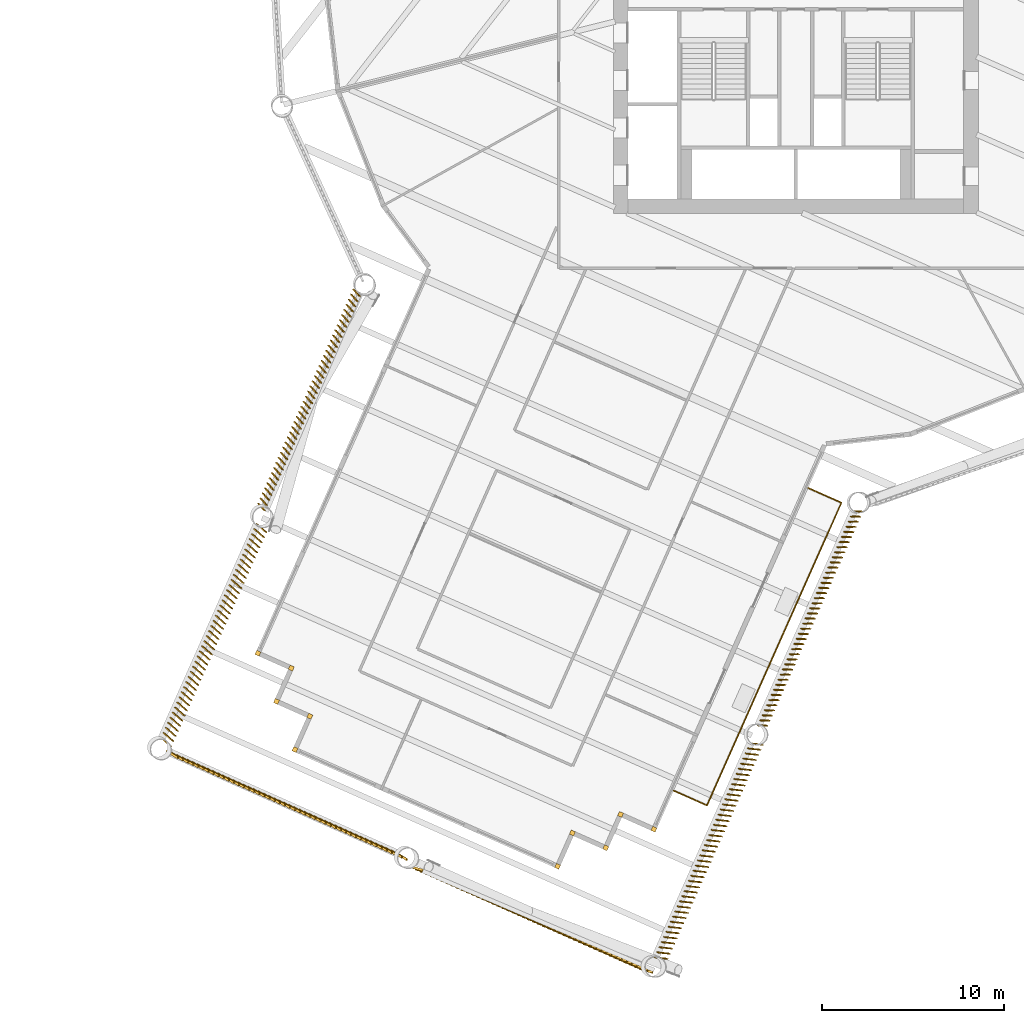
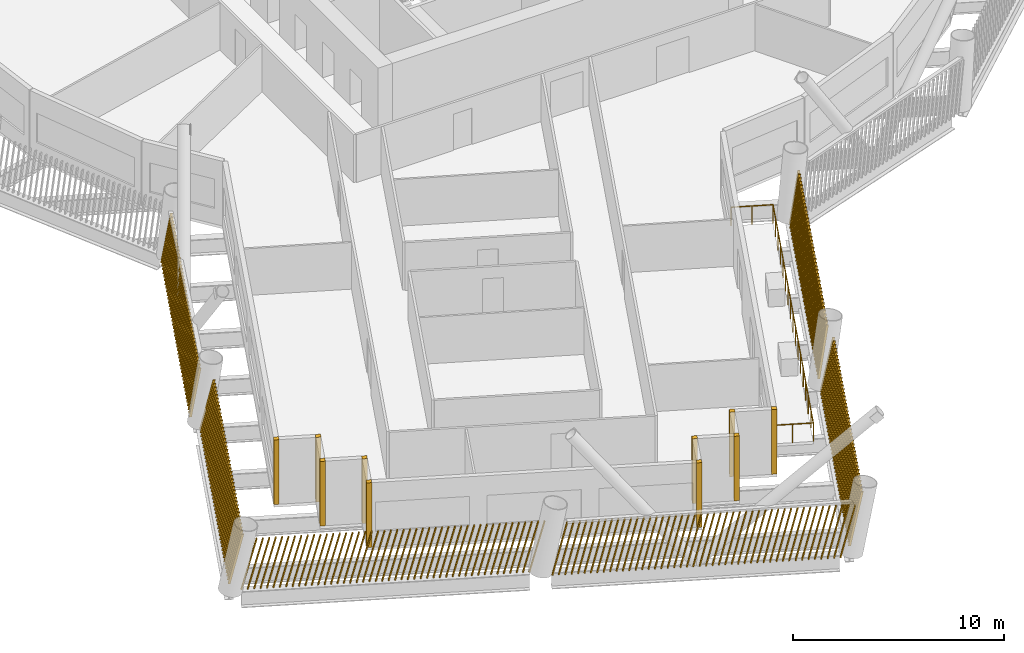
# One storey, part 17 of 22: 16 shading devices, 1 railing.
"""IFC4 building model written with IfcOpenShell, lengths in metres."""

import ifcopenshell
import ifcopenshell.guid

model = None  # the IFC model being written
_history = None  # IfcOwnerHistory: only IFC2X3 demands one
_inside = {}  # id of a spatial element -> (the spatial element, [elements in it])
_under = {}  # id of a project, library or spatial element -> (it, [spatial elements below it])
_declared = {}  # id of a project -> (the project, [libraries it declares])
_typed = {}  # id of a type object -> (the type object, [elements of that type])
_made_of = {}  # id of a material, layer set ... -> (it, [elements and type objects made of it])


def new_model(schema):
    """Start an empty IFC model of exactly this schema.

    Asked for "IFC4X3", IfcOpenShell would pick the latest addendum, in which some entities
    have other attributes; the version numbers below select the first issue.
    IFC2X3 requires an IfcOwnerHistory on every rooted entity: one is made here for all.
    """
    global model, _history
    if schema == "IFC4X3":
        model = ifcopenshell.file(schema_version=(4, 3, 0, 0))
    else:
        model = ifcopenshell.file(schema=schema)
    _inside.clear()
    _under.clear()
    _declared.clear()
    _typed.clear()
    _made_of.clear()
    _history = None
    if model.schema == "IFC2X3":
        org = make("IfcOrganization", Name="unknown")
        user = make(
            "IfcPersonAndOrganization",
            ThePerson=make("IfcPerson", FamilyName="unknown"),
            TheOrganization=org,
        )
        app = make(
            "IfcApplication",
            ApplicationDeveloper=org,
            Version="unknown",
            ApplicationFullName="unknown",
            ApplicationIdentifier="unknown",
        )
        _history = make(
            "IfcOwnerHistory",
            OwningUser=user,
            OwningApplication=app,
            ChangeAction="ADDED",
            CreationDate=0,
        )
    return model


def make(cls, **values):
    """One entity of the class cls with the attributes given. An attribute that is None is left unset."""
    return model.create_entity(
        cls, **{name: value for name, value in values.items() if value is not None}
    )


def rooted(cls, **values):
    """An entity with a GlobalId (a new one), such as an element, a storey or a relation."""
    return make(cls, GlobalId=ifcopenshell.guid.new(), OwnerHistory=_history, **values)


def si_unit(unit_type, name, prefix=None):
    """IfcSIUnit, for example si_unit("LENGTHUNIT", "METRE", prefix="MILLI")."""
    return make("IfcSIUnit", UnitType=unit_type, Prefix=prefix, Name=name)


def assignment(units):
    """IfcUnitAssignment: the units of a project."""
    return None if units is None else make("IfcUnitAssignment", Units=units)


def point(xyz):
    """IfcCartesianPoint."""
    return None if xyz is None else make("IfcCartesianPoint", Coordinates=xyz)


def direction(xyz):
    """IfcDirection."""
    return None if xyz is None else make("IfcDirection", DirectionRatios=xyz)


def frame(location, z_axis=None, x_axis=None):
    """IfcAxis2Placement3D, a coordinate frame: its origin and axes. An axis left out is left unset."""
    return make(
        "IfcAxis2Placement3D",
        Location=point(location),
        Axis=direction(z_axis),
        RefDirection=direction(x_axis),
    )


def frame_2d(location, x_axis=None):
    """IfcAxis2Placement2D, a coordinate frame in the plane: its origin and x axis."""
    return make(
        "IfcAxis2Placement2D", Location=point(location), RefDirection=direction(x_axis)
    )


def origin():
    """The frame at (0, 0, 0) with its axes left unset."""
    return frame((0.0, 0.0, 0.0))


def origin_2d():
    """The frame at (0, 0) in the plane with its x axis left unset."""
    return frame_2d((0.0, 0.0))


def place(relative_to, where):
    """IfcLocalPlacement: puts the frame where relative to a parent placement (None: the world)."""
    return make(
        "IfcLocalPlacement", PlacementRelTo=relative_to, RelativePlacement=where
    )


def context(
    kind, dimensions, precision=None, world=None, true_north=None, identifier=None
):
    """IfcGeometricRepresentationContext, for example the 3D "Model" context."""
    return make(
        "IfcGeometricRepresentationContext",
        ContextIdentifier=identifier,
        ContextType=kind,
        CoordinateSpaceDimension=dimensions,
        Precision=precision,
        WorldCoordinateSystem=world,
        TrueNorth=true_north,
    )


def subcontext(parent, identifier, kind, view, scale=None):
    """IfcGeometricRepresentationSubContext, for example "Body" below "Model"."""
    return make(
        "IfcGeometricRepresentationSubContext",
        ContextIdentifier=identifier,
        ContextType=kind,
        ParentContext=parent,
        TargetScale=scale,
        TargetView=view,
    )


def project(units=None, contexts=None):
    """IfcProject with its units and contexts."""
    return rooted(
        "IfcProject",
        Name="project",
        RepresentationContexts=contexts,
        UnitsInContext=assignment(units),
    )


def spatial(cls, under=None, at=None, **own):
    """A site, building, storey or space (cls), placed at a placement, below another one or the project."""
    s = rooted(cls, ObjectPlacement=at, **own)
    if under is not None:
        _under.setdefault(under.id(), (under, []))[1].append(s)
    return s


def profile(cls, at=None, kind="AREA", **sizes):
    """A parametric profile (cls). Its sizes go by their IFC names, for example OverallWidth=200.0."""
    return make(cls, ProfileType=kind, Position=at, **sizes)


def rectangle(**sizes):
    """IfcRectangleProfileDef."""
    return profile("IfcRectangleProfileDef", **sizes)


def circle(**sizes):
    """IfcCircleProfileDef."""
    return profile("IfcCircleProfileDef", **sizes)


def composite_profile(profiles, kind="AREA"):
    """IfcCompositeProfileDef: several profiles as one."""
    return make("IfcCompositeProfileDef", ProfileType=kind, Profiles=profiles)


def extrude(swept, where, along, depth):
    """IfcExtrudedAreaSolid: the profile swept, set in the frame where, extruded along a direction by depth."""
    return make(
        "IfcExtrudedAreaSolid",
        SweptArea=swept,
        Position=where,
        ExtrudedDirection=direction(along),
        Depth=depth,
    )


def shape(context_of_items, identifier, shape_type, items):
    """IfcShapeRepresentation: the items that make up one representation, for example the "Body"."""
    return make(
        "IfcShapeRepresentation",
        ContextOfItems=context_of_items,
        RepresentationIdentifier=identifier,
        RepresentationType=shape_type,
        Items=items,
    )


def material(Name=None, Category=None):
    """IfcMaterial."""
    return make("IfcMaterial", Name=Name, Category=Category)


def made_of(thing, what):
    """Note that an element or type object is made of a material, layer set ...; save() writes the relation."""
    if what is not None:
        _made_of.setdefault(what.id(), (what, []))[1].append(thing)
    return thing


def type_object(cls, material=None, **own):
    """A type object (cls), such as IfcWallType, which elements share."""
    return made_of(rooted(cls, **own), material)


def element(
    cls,
    number,
    at=None,
    inside=None,
    cuts=None,
    type_object=None,
    material=None,
    context=None,
    identifier="Body",
    shape_type=None,
    held_by="IfcProductDefinitionShape",
    body=None,
    shapes=None,
    **own,
):
    """One element of the class cls, such as IfcWall. Its Tag is "e" and its number.

    at: its placement. inside: the storey or other place that contains it. cuts: it is an
    opening in that element (IfcRelVoidsElement). A single representation is given by context,
    identifier, shape_type and body (its items); several are given by shapes. held_by: the class
    of the entity that holds the representations. save() writes the other relations.
    """
    e = rooted(cls, Tag="e%d" % number, ObjectPlacement=at, **own)
    if body is not None:
        shapes = [shape(context, identifier, shape_type, body)]
    if shapes is not None:
        e.Representation = make(held_by, Representations=shapes)
    if inside is not None:
        _inside.setdefault(inside.id(), (inside, []))[1].append(e)
    if cuts is not None:
        rooted(
            "IfcRelVoidsElement", RelatingBuildingElement=cuts, RelatedOpeningElement=e
        )
    if type_object is not None:
        _typed.setdefault(type_object.id(), (type_object, []))[1].append(e)
    return made_of(e, material)


def aggregate(whole, parts):
    """IfcRelAggregates: a whole, such as a stair, and the parts it consists of."""
    return rooted("IfcRelAggregates", RelatingObject=whole, RelatedObjects=parts)


def save(model, path):
    """Write the relations noted so far, then the file.

    IfcRelAggregates (storeys below a building ...), IfcRelContainedInSpatialStructure (elements
    in a storey), IfcRelDefinesByType, IfcRelAssociatesMaterial and IfcRelDeclares: one each for
    every whole, place, type object, material and project.
    """
    for whole, parts in _under.values():
        aggregate(whole, parts)
    for where, things in _inside.values():
        rooted(
            "IfcRelContainedInSpatialStructure",
            RelatedElements=things,
            RelatingStructure=where,
        )
    for kind, things in _typed.values():
        rooted("IfcRelDefinesByType", RelatedObjects=things, RelatingType=kind)
    for what, things in _made_of.values():
        rooted("IfcRelAssociatesMaterial", RelatedObjects=things, RelatingMaterial=what)
    for by, libraries in _declared.values():
        rooted("IfcRelDeclares", RelatingContext=by, RelatedDefinitions=libraries)
    model.write(path)


model = new_model("IFC4")

# Units and contexts
model_context = context("Model", 3, precision=1e-05, world=origin(), true_north=direction((0.0, 1.0)))
body_context = subcontext(model_context, "Body", "Model", "MODEL_VIEW")
ifc_project = project(units=[si_unit("LENGTHUNIT", "METRE"), si_unit("AREAUNIT", "SQUARE_METRE"), si_unit("VOLUMEUNIT", "CUBIC_METRE"), si_unit("PLANEANGLEUNIT", "RADIAN"), si_unit("MASSUNIT", "GRAM", prefix="KILO")], contexts=[model_context])

# Site, building, storey
site_placement = place(None, origin())
site = spatial("IfcSite", under=ifc_project, at=site_placement, CompositionType="ELEMENT")
building_placement = place(site_placement, origin())
building = spatial("IfcBuilding", under=site, at=building_placement, Name="Tarsis Ring Headquarters", CompositionType="ELEMENT")
storey_placement = place(building_placement, frame((0.0, 0.0, 116.199951171875)))
storey = spatial("IfcBuildingStorey", under=building, at=storey_placement, Name="L26", CompositionType="ELEMENT", Elevation=116.199951171875)

# Railing
ifc_material_1 = material(Name="Stainless steel guard", Category="steel")
railing_type = type_object("IfcRailingType", Name="Balcony balustrade with mesh infill 1100", PredefinedType="BALUSTRADE", material=ifc_material_1)
railing_placement = place(storey_placement, frame((-6.699462890625, -44.624755859375, 0.0)))
element("IfcRailing", 1, at=railing_placement, inside=storey, type_object=railing_type, Name="Balcony balustrade L26-16", PredefinedType="BALUSTRADE", context=body_context, shape_type="SweptSolid", body=[
    extrude(circle(Radius=0.030029296875, at=origin_2d()), frame((0.0, 0.0, 1.070068359375), z_axis=(0.913836713146, -0.406081841143, 0.0), x_axis=(0.406081841143, 0.913836713146, 0.0)), (0.0, 0.0, 1.0), 2.000244140625),
    extrude(circle(Radius=0.030029296875, at=origin_2d()), frame((1.827880859375, -0.812255859375, 1.070068359375), z_axis=(0.406093538557, 0.913831515074, 0.0), x_axis=(-0.913831515074, 0.406093538557, 0.0)), (0.0, 0.0, 1.0), 18.151123046875),
    extrude(circle(Radius=0.030029296875, at=origin_2d()), frame((9.198974609375, 15.77490234375, 1.070068359375), z_axis=(-0.913816582368, 0.406127139933, 0.0), x_axis=(-0.406127139933, -0.913816582368, 0.0)), (0.0, 0.0, 1.0), 2.0),
    extrude(circle(Radius=0.02490234375, at=origin_2d()), origin(), (0.0, 0.0, 1.0), 1.0400390625),
    extrude(circle(Radius=0.02490234375, at=origin_2d()), frame((0.9140625, -0.40625, 0.0)), (0.0, 0.0, 1.0), 1.0400390625),
    extrude(circle(Radius=0.02490234375, at=origin_2d()), frame((1.827880859375, -0.812255859375, 0.0)), (0.0, 0.0, 1.0), 1.0400390625),
    extrude(circle(Radius=0.02490234375, at=origin_2d()), frame((2.28857421875, 0.224365234375, 0.0)), (0.0, 0.0, 1.0), 1.0400390625),
    extrude(circle(Radius=0.02490234375, at=origin_2d()), frame((2.749267578125, 1.26123046875, 0.0)), (0.0, 0.0, 1.0), 1.0400390625),
    extrude(circle(Radius=0.02490234375, at=origin_2d()), frame((3.2099609375, 2.2978515625, 0.0)), (0.0, 0.0, 1.0), 1.0400390625),
    extrude(circle(Radius=0.02490234375, at=origin_2d()), frame((3.670654296875, 3.33447265625, 0.0)), (0.0, 0.0, 1.0), 1.0400390625),
    extrude(circle(Radius=0.02490234375, at=origin_2d()), frame((4.13134765625, 4.371337890625, 0.0)), (0.0, 0.0, 1.0), 1.0400390625),
    extrude(circle(Radius=0.02490234375, at=origin_2d()), frame((4.592041015625, 5.407958984375, 0.0)), (0.0, 0.0, 1.0), 1.0400390625),
    extrude(circle(Radius=0.02490234375, at=origin_2d()), frame((5.052734375, 6.444580078125, 0.0)), (0.0, 0.0, 1.0), 1.0400390625),
    extrude(circle(Radius=0.02490234375, at=origin_2d()), frame((5.513427734375, 7.4814453125, 0.0)), (0.0, 0.0, 1.0), 1.0400390625),
    extrude(circle(Radius=0.02490234375, at=origin_2d()), frame((5.97412109375, 8.51806640625, 0.0)), (0.0, 0.0, 1.0), 1.0400390625),
    extrude(circle(Radius=0.02490234375, at=origin_2d()), frame((6.434814453125, 9.5546875, 0.0)), (0.0, 0.0, 1.0), 1.0400390625),
    extrude(circle(Radius=0.02490234375, at=origin_2d()), frame((6.8955078125, 10.59130859375, 0.0)), (0.0, 0.0, 1.0), 1.0400390625),
    extrude(circle(Radius=0.02490234375, at=origin_2d()), frame((7.356201171875, 11.628173828125, 0.0)), (0.0, 0.0, 1.0), 1.0400390625),
    extrude(circle(Radius=0.02490234375, at=origin_2d()), frame((7.81689453125, 12.664794921875, 0.0)), (0.0, 0.0, 1.0), 1.0400390625),
    extrude(circle(Radius=0.02490234375, at=origin_2d()), frame((8.277587890625, 13.701416015625, 0.0)), (0.0, 0.0, 1.0), 1.0400390625),
    extrude(circle(Radius=0.02490234375, at=origin_2d()), frame((8.73828125, 14.73828125, 0.0)), (0.0, 0.0, 1.0), 1.0400390625),
    extrude(circle(Radius=0.02490234375, at=origin_2d()), frame((9.198974609375, 15.77490234375, 0.0)), (0.0, 0.0, 1.0), 1.0400390625),
    extrude(circle(Radius=0.02490234375, at=origin_2d()), frame((8.28515625, 16.18115234375, 0.0)), (0.0, 0.0, 1.0), 1.0400390625),
    extrude(circle(Radius=0.02490234375, at=origin_2d()), frame((7.371337890625, 16.587158203125, 0.0)), (0.0, 0.0, 1.0), 1.0400390625),
])

# Shading devices
ifc_material_2 = material(Name="Terracotta baguette", Category="masonry")
shading_device_type_1 = type_object("IfcShadingDeviceType", Name="Terracotta baguette screen", PredefinedType="USERDEFINED", material=ifc_material_2)
shading_device_1_placement = place(storey_placement, frame((-24.220947265625, -17.135986328125, 0.0), z_axis=(0.0, 0.0, 1.0), x_axis=(-0.40610808356, -0.913828337875, 0.0)))
element("IfcShadingDevice", 2, at=shading_device_1_placement, inside=storey, type_object=shading_device_type_1, Name="Baguette screen L26-01", ObjectType="Terracotta baguette screen", PredefinedType="USERDEFINED", context=body_context, shape_type="SweptSolid", body=[
    extrude(composite_profile([rectangle(XDim=0.06005859375, YDim=0.1201171875, at=frame_2d((0.030029296875, 0.0))), rectangle(XDim=0.06005859375, YDim=0.1201171875, at=frame_2d((0.335693359375, 0.0))), rectangle(XDim=0.06005859375, YDim=0.1201171875, at=frame_2d((0.6416015625, 0.0))), rectangle(XDim=0.06005859375, YDim=0.1201171875, at=frame_2d((0.947265625, 0.0))), rectangle(XDim=0.06005859375, YDim=0.1201171875, at=frame_2d((1.253173828125, 0.0))), rectangle(XDim=0.06005859375, YDim=0.1201171875, at=frame_2d((1.558837890625, 0.0))), rectangle(XDim=0.06005859375, YDim=0.1201171875, at=frame_2d((1.864501953125, 0.0))), rectangle(XDim=0.06005859375, YDim=0.1201171875, at=frame_2d((2.17041015625, 0.0))), rectangle(XDim=0.06005859375, YDim=0.1201171875, at=frame_2d((2.47607421875, 0.0))), rectangle(XDim=0.06005859375, YDim=0.1201171875, at=frame_2d((2.781982421875, 0.0))), rectangle(XDim=0.06005859375, YDim=0.1201171875, at=frame_2d((3.087646484375, 0.0))), rectangle(XDim=0.06005859375, YDim=0.1201171875, at=frame_2d((3.393310546875, 0.0))), rectangle(XDim=0.06005859375, YDim=0.1201171875, at=frame_2d((3.69921875, 0.0))), rectangle(XDim=0.06005859375, YDim=0.1201171875, at=frame_2d((4.0048828125, 0.0))), rectangle(XDim=0.06005859375, YDim=0.1201171875, at=frame_2d((4.310791015625, 0.0))), rectangle(XDim=0.06005859375, YDim=0.1201171875, at=frame_2d((4.616455078125, 0.0))), rectangle(XDim=0.06005859375, YDim=0.1201171875, at=frame_2d((4.922119140625, 0.0))), rectangle(XDim=0.06005859375, YDim=0.1201171875, at=frame_2d((5.22802734375, 0.0))), rectangle(XDim=0.06005859375, YDim=0.1201171875, at=frame_2d((5.53369140625, 0.0))), rectangle(XDim=0.06005859375, YDim=0.1201171875, at=frame_2d((5.839599609375, 0.0))), rectangle(XDim=0.06005859375, YDim=0.1201171875, at=frame_2d((6.145263671875, 0.0))), rectangle(XDim=0.06005859375, YDim=0.1201171875, at=frame_2d((6.451171875, 0.0))), rectangle(XDim=0.06005859375, YDim=0.1201171875, at=frame_2d((6.7568359375, 0.0))), rectangle(XDim=0.06005859375, YDim=0.1201171875, at=frame_2d((7.0625, 0.0))), rectangle(XDim=0.06005859375, YDim=0.1201171875, at=frame_2d((7.368408203125, 0.0))), rectangle(XDim=0.06005859375, YDim=0.1201171875, at=frame_2d((7.674072265625, 0.0))), rectangle(XDim=0.06005859375, YDim=0.1201171875, at=frame_2d((7.97998046875, 0.0))), rectangle(XDim=0.06005859375, YDim=0.1201171875, at=frame_2d((8.28564453125, 0.0))), rectangle(XDim=0.06005859375, YDim=0.1201171875, at=frame_2d((8.59130859375, 0.0))), rectangle(XDim=0.06005859375, YDim=0.1201171875, at=frame_2d((8.897216796875, 0.0))), rectangle(XDim=0.06005859375, YDim=0.1201171875, at=frame_2d((9.202880859375, 0.0))), rectangle(XDim=0.06005859375, YDim=0.1201171875, at=frame_2d((9.5087890625, 0.0))), rectangle(XDim=0.06005859375, YDim=0.1201171875, at=frame_2d((9.814453125, 0.0))), rectangle(XDim=0.06005859375, YDim=0.1201171875, at=frame_2d((10.1201171875, 0.0))), rectangle(XDim=0.06005859375, YDim=0.1201171875, at=frame_2d((10.426025390625, 0.0))), rectangle(XDim=0.06005859375, YDim=0.1201171875, at=frame_2d((10.731689453125, 0.0))), rectangle(XDim=0.06005859375, YDim=0.1201171875, at=frame_2d((11.03759765625, 0.0))), rectangle(XDim=0.06005859375, YDim=0.1201171875, at=frame_2d((11.34326171875, 0.0))), rectangle(XDim=0.06005859375, YDim=0.1201171875, at=frame_2d((11.64892578125, 0.0))), rectangle(XDim=0.06005859375, YDim=0.1201171875, at=frame_2d((11.954833984375, 0.0))), rectangle(XDim=0.06005859375, YDim=0.1201171875, at=frame_2d((12.260498046875, 0.0))), rectangle(XDim=0.06005859375, YDim=0.1201171875, at=frame_2d((12.56640625, 0.0))), rectangle(XDim=0.06005859375, YDim=0.1201171875, at=frame_2d((12.8720703125, 0.0)))]), origin(), (0.068061752607, 0.145840937484, 0.986964041283), 2.99169921875),
])
shading_device_2_placement = place(storey_placement, frame((-29.524169921875, -29.99267578125, 0.0), z_axis=(0.0, 0.0, 1.0), x_axis=(-0.406096845611, -0.913826707287, 0.0)))
element("IfcShadingDevice", 3, at=shading_device_2_placement, inside=storey, type_object=shading_device_type_1, Name="Baguette screen L26-02", ObjectType="Terracotta baguette screen", PredefinedType="USERDEFINED", context=body_context, shape_type="SweptSolid", body=[
    extrude(composite_profile([rectangle(XDim=0.06005859375, YDim=0.1201171875, at=frame_2d((0.030029296875, 0.0))), rectangle(XDim=0.06005859375, YDim=0.1201171875, at=frame_2d((0.335693359375, 0.0))), rectangle(XDim=0.06005859375, YDim=0.1201171875, at=frame_2d((0.6416015625, 0.0))), rectangle(XDim=0.06005859375, YDim=0.1201171875, at=frame_2d((0.947265625, 0.0))), rectangle(XDim=0.06005859375, YDim=0.1201171875, at=frame_2d((1.253173828125, 0.0))), rectangle(XDim=0.06005859375, YDim=0.1201171875, at=frame_2d((1.558837890625, 0.0))), rectangle(XDim=0.06005859375, YDim=0.1201171875, at=frame_2d((1.864501953125, 0.0))), rectangle(XDim=0.06005859375, YDim=0.1201171875, at=frame_2d((2.17041015625, 0.0))), rectangle(XDim=0.06005859375, YDim=0.1201171875, at=frame_2d((2.47607421875, 0.0))), rectangle(XDim=0.06005859375, YDim=0.1201171875, at=frame_2d((2.781982421875, 0.0))), rectangle(XDim=0.06005859375, YDim=0.1201171875, at=frame_2d((3.087646484375, 0.0))), rectangle(XDim=0.06005859375, YDim=0.1201171875, at=frame_2d((3.393310546875, 0.0))), rectangle(XDim=0.06005859375, YDim=0.1201171875, at=frame_2d((3.69921875, 0.0))), rectangle(XDim=0.06005859375, YDim=0.1201171875, at=frame_2d((4.0048828125, 0.0))), rectangle(XDim=0.06005859375, YDim=0.1201171875, at=frame_2d((4.310791015625, 0.0))), rectangle(XDim=0.06005859375, YDim=0.1201171875, at=frame_2d((4.616455078125, 0.0))), rectangle(XDim=0.06005859375, YDim=0.1201171875, at=frame_2d((4.922119140625, 0.0))), rectangle(XDim=0.06005859375, YDim=0.1201171875, at=frame_2d((5.22802734375, 0.0))), rectangle(XDim=0.06005859375, YDim=0.1201171875, at=frame_2d((5.53369140625, 0.0))), rectangle(XDim=0.06005859375, YDim=0.1201171875, at=frame_2d((5.839599609375, 0.0))), rectangle(XDim=0.06005859375, YDim=0.1201171875, at=frame_2d((6.145263671875, 0.0))), rectangle(XDim=0.06005859375, YDim=0.1201171875, at=frame_2d((6.451171875, 0.0))), rectangle(XDim=0.06005859375, YDim=0.1201171875, at=frame_2d((6.7568359375, 0.0))), rectangle(XDim=0.06005859375, YDim=0.1201171875, at=frame_2d((7.0625, 0.0))), rectangle(XDim=0.06005859375, YDim=0.1201171875, at=frame_2d((7.368408203125, 0.0))), rectangle(XDim=0.06005859375, YDim=0.1201171875, at=frame_2d((7.674072265625, 0.0))), rectangle(XDim=0.06005859375, YDim=0.1201171875, at=frame_2d((7.97998046875, 0.0))), rectangle(XDim=0.06005859375, YDim=0.1201171875, at=frame_2d((8.28564453125, 0.0))), rectangle(XDim=0.06005859375, YDim=0.1201171875, at=frame_2d((8.59130859375, 0.0))), rectangle(XDim=0.06005859375, YDim=0.1201171875, at=frame_2d((8.897216796875, 0.0))), rectangle(XDim=0.06005859375, YDim=0.1201171875, at=frame_2d((9.202880859375, 0.0))), rectangle(XDim=0.06005859375, YDim=0.1201171875, at=frame_2d((9.5087890625, 0.0))), rectangle(XDim=0.06005859375, YDim=0.1201171875, at=frame_2d((9.814453125, 0.0))), rectangle(XDim=0.06005859375, YDim=0.1201171875, at=frame_2d((10.1201171875, 0.0))), rectangle(XDim=0.06005859375, YDim=0.1201171875, at=frame_2d((10.426025390625, 0.0))), rectangle(XDim=0.06005859375, YDim=0.1201171875, at=frame_2d((10.731689453125, 0.0))), rectangle(XDim=0.06005859375, YDim=0.1201171875, at=frame_2d((11.03759765625, 0.0))), rectangle(XDim=0.06005859375, YDim=0.1201171875, at=frame_2d((11.34326171875, 0.0))), rectangle(XDim=0.06005859375, YDim=0.1201171875, at=frame_2d((11.64892578125, 0.0))), rectangle(XDim=0.06005859375, YDim=0.1201171875, at=frame_2d((11.954833984375, 0.0))), rectangle(XDim=0.06005859375, YDim=0.1201171875, at=frame_2d((12.260498046875, 0.0))), rectangle(XDim=0.06005859375, YDim=0.1201171875, at=frame_2d((12.56640625, 0.0))), rectangle(XDim=0.06005859375, YDim=0.1201171875, at=frame_2d((12.8720703125, 0.0)))]), origin(), (0.065207084803, 0.206809362557, 0.976205881794), 3.024658203125),
])
shading_device_3_placement = place(storey_placement, frame((-34.509765625, -42.44287109375, 0.0), z_axis=(0.0, 0.0, 1.0), x_axis=(0.913825740823, -0.406103494029, 0.0)))
element("IfcShadingDevice", 4, at=shading_device_3_placement, inside=storey, type_object=shading_device_type_1, Name="Baguette screen L26-03", ObjectType="Terracotta baguette screen", PredefinedType="USERDEFINED", context=body_context, shape_type="SweptSolid", body=[
    extrude(composite_profile([rectangle(XDim=0.06005859375, YDim=0.1201171875, at=frame_2d((0.030029296875, 0.0))), rectangle(XDim=0.06005859375, YDim=0.1201171875, at=frame_2d((0.33544921875, 0.0))), rectangle(XDim=0.06005859375, YDim=0.1201171875, at=frame_2d((0.640625, 0.0))), rectangle(XDim=0.06005859375, YDim=0.1201171875, at=frame_2d((0.946044921875, 0.0))), rectangle(XDim=0.06005859375, YDim=0.1201171875, at=frame_2d((1.25146484375, 0.0))), rectangle(XDim=0.06005859375, YDim=0.1201171875, at=frame_2d((1.556640625, 0.0))), rectangle(XDim=0.06005859375, YDim=0.1201171875, at=frame_2d((1.862060546875, 0.0))), rectangle(XDim=0.06005859375, YDim=0.1201171875, at=frame_2d((2.16748046875, 0.0))), rectangle(XDim=0.06005859375, YDim=0.1201171875, at=frame_2d((2.47265625, 0.0))), rectangle(XDim=0.06005859375, YDim=0.1201171875, at=frame_2d((2.778076171875, 0.0))), rectangle(XDim=0.06005859375, YDim=0.1201171875, at=frame_2d((3.08349609375, 0.0))), rectangle(XDim=0.06005859375, YDim=0.1201171875, at=frame_2d((3.388671875, 0.0))), rectangle(XDim=0.06005859375, YDim=0.1201171875, at=frame_2d((3.694091796875, 0.0))), rectangle(XDim=0.06005859375, YDim=0.1201171875, at=frame_2d((3.99951171875, 0.0))), rectangle(XDim=0.06005859375, YDim=0.1201171875, at=frame_2d((4.3046875, 0.0))), rectangle(XDim=0.06005859375, YDim=0.1201171875, at=frame_2d((4.610107421875, 0.0))), rectangle(XDim=0.06005859375, YDim=0.1201171875, at=frame_2d((4.91552734375, 0.0))), rectangle(XDim=0.06005859375, YDim=0.1201171875, at=frame_2d((5.220703125, 0.0))), rectangle(XDim=0.06005859375, YDim=0.1201171875, at=frame_2d((5.526123046875, 0.0))), rectangle(XDim=0.06005859375, YDim=0.1201171875, at=frame_2d((5.83154296875, 0.0))), rectangle(XDim=0.06005859375, YDim=0.1201171875, at=frame_2d((6.13671875, 0.0))), rectangle(XDim=0.06005859375, YDim=0.1201171875, at=frame_2d((6.442138671875, 0.0))), rectangle(XDim=0.06005859375, YDim=0.1201171875, at=frame_2d((6.74755859375, 0.0))), rectangle(XDim=0.06005859375, YDim=0.1201171875, at=frame_2d((7.052734375, 0.0))), rectangle(XDim=0.06005859375, YDim=0.1201171875, at=frame_2d((7.358154296875, 0.0))), rectangle(XDim=0.06005859375, YDim=0.1201171875, at=frame_2d((7.66357421875, 0.0))), rectangle(XDim=0.06005859375, YDim=0.1201171875, at=frame_2d((7.96875, 0.0))), rectangle(XDim=0.06005859375, YDim=0.1201171875, at=frame_2d((8.274169921875, 0.0))), rectangle(XDim=0.06005859375, YDim=0.1201171875, at=frame_2d((8.57958984375, 0.0))), rectangle(XDim=0.06005859375, YDim=0.1201171875, at=frame_2d((8.884765625, 0.0))), rectangle(XDim=0.06005859375, YDim=0.1201171875, at=frame_2d((9.190185546875, 0.0))), rectangle(XDim=0.06005859375, YDim=0.1201171875, at=frame_2d((9.49560546875, 0.0))), rectangle(XDim=0.06005859375, YDim=0.1201171875, at=frame_2d((9.80078125, 0.0))), rectangle(XDim=0.06005859375, YDim=0.1201171875, at=frame_2d((10.106201171875, 0.0))), rectangle(XDim=0.06005859375, YDim=0.1201171875, at=frame_2d((10.41162109375, 0.0))), rectangle(XDim=0.06005859375, YDim=0.1201171875, at=frame_2d((10.716796875, 0.0))), rectangle(XDim=0.06005859375, YDim=0.1201171875, at=frame_2d((11.022216796875, 0.0))), rectangle(XDim=0.06005859375, YDim=0.1201171875, at=frame_2d((11.32763671875, 0.0))), rectangle(XDim=0.06005859375, YDim=0.1201171875, at=frame_2d((11.6328125, 0.0))), rectangle(XDim=0.06005859375, YDim=0.1201171875, at=frame_2d((11.938232421875, 0.0))), rectangle(XDim=0.06005859375, YDim=0.1201171875, at=frame_2d((12.24365234375, 0.0))), rectangle(XDim=0.06005859375, YDim=0.1201171875, at=frame_2d((12.548828125, 0.0))), rectangle(XDim=0.06005859375, YDim=0.1201171875, at=frame_2d((12.854248046875, 0.0))), rectangle(XDim=0.06005859375, YDim=0.1201171875, at=frame_2d((13.15966796875, 0.0))), rectangle(XDim=0.06005859375, YDim=0.1201171875, at=frame_2d((13.46484375, 0.0))), rectangle(XDim=0.06005859375, YDim=0.1201171875, at=frame_2d((13.770263671875, 0.0)))]), origin(), (0.236622510715, -0.031521057792, 0.971090217404), 3.04052734375),
])
shading_device_4_placement = place(storey_placement, frame((-21.137451171875, -48.7958984375, 0.0), z_axis=(0.0, 0.0, 1.0), x_axis=(0.913825740823, -0.406103494029, 0.0)))
element("IfcShadingDevice", 5, at=shading_device_4_placement, inside=storey, type_object=shading_device_type_1, Name="Baguette screen L26-04", ObjectType="Terracotta baguette screen", PredefinedType="USERDEFINED", context=body_context, shape_type="SweptSolid", body=[
    extrude(composite_profile([rectangle(XDim=0.06005859375, YDim=0.1201171875, at=frame_2d((0.030029296875, 0.0))), rectangle(XDim=0.06005859375, YDim=0.1201171875, at=frame_2d((0.33544921875, 0.0))), rectangle(XDim=0.06005859375, YDim=0.1201171875, at=frame_2d((0.640625, 0.0))), rectangle(XDim=0.06005859375, YDim=0.1201171875, at=frame_2d((0.946044921875, 0.0))), rectangle(XDim=0.06005859375, YDim=0.1201171875, at=frame_2d((1.25146484375, 0.0))), rectangle(XDim=0.06005859375, YDim=0.1201171875, at=frame_2d((1.556640625, 0.0))), rectangle(XDim=0.06005859375, YDim=0.1201171875, at=frame_2d((1.862060546875, 0.0))), rectangle(XDim=0.06005859375, YDim=0.1201171875, at=frame_2d((2.16748046875, 0.0))), rectangle(XDim=0.06005859375, YDim=0.1201171875, at=frame_2d((2.47265625, 0.0))), rectangle(XDim=0.06005859375, YDim=0.1201171875, at=frame_2d((2.778076171875, 0.0))), rectangle(XDim=0.06005859375, YDim=0.1201171875, at=frame_2d((3.08349609375, 0.0))), rectangle(XDim=0.06005859375, YDim=0.1201171875, at=frame_2d((3.388671875, 0.0))), rectangle(XDim=0.06005859375, YDim=0.1201171875, at=frame_2d((3.694091796875, 0.0))), rectangle(XDim=0.06005859375, YDim=0.1201171875, at=frame_2d((3.99951171875, 0.0))), rectangle(XDim=0.06005859375, YDim=0.1201171875, at=frame_2d((4.3046875, 0.0))), rectangle(XDim=0.06005859375, YDim=0.1201171875, at=frame_2d((4.610107421875, 0.0))), rectangle(XDim=0.06005859375, YDim=0.1201171875, at=frame_2d((4.91552734375, 0.0))), rectangle(XDim=0.06005859375, YDim=0.1201171875, at=frame_2d((5.220703125, 0.0))), rectangle(XDim=0.06005859375, YDim=0.1201171875, at=frame_2d((5.526123046875, 0.0))), rectangle(XDim=0.06005859375, YDim=0.1201171875, at=frame_2d((5.83154296875, 0.0))), rectangle(XDim=0.06005859375, YDim=0.1201171875, at=frame_2d((6.13671875, 0.0))), rectangle(XDim=0.06005859375, YDim=0.1201171875, at=frame_2d((6.442138671875, 0.0))), rectangle(XDim=0.06005859375, YDim=0.1201171875, at=frame_2d((6.74755859375, 0.0))), rectangle(XDim=0.06005859375, YDim=0.1201171875, at=frame_2d((7.052734375, 0.0))), rectangle(XDim=0.06005859375, YDim=0.1201171875, at=frame_2d((7.358154296875, 0.0))), rectangle(XDim=0.06005859375, YDim=0.1201171875, at=frame_2d((7.66357421875, 0.0))), rectangle(XDim=0.06005859375, YDim=0.1201171875, at=frame_2d((7.96875, 0.0))), rectangle(XDim=0.06005859375, YDim=0.1201171875, at=frame_2d((8.274169921875, 0.0))), rectangle(XDim=0.06005859375, YDim=0.1201171875, at=frame_2d((8.57958984375, 0.0))), rectangle(XDim=0.06005859375, YDim=0.1201171875, at=frame_2d((8.884765625, 0.0))), rectangle(XDim=0.06005859375, YDim=0.1201171875, at=frame_2d((9.190185546875, 0.0))), rectangle(XDim=0.06005859375, YDim=0.1201171875, at=frame_2d((9.49560546875, 0.0))), rectangle(XDim=0.06005859375, YDim=0.1201171875, at=frame_2d((9.80078125, 0.0))), rectangle(XDim=0.06005859375, YDim=0.1201171875, at=frame_2d((10.106201171875, 0.0))), rectangle(XDim=0.06005859375, YDim=0.1201171875, at=frame_2d((10.41162109375, 0.0))), rectangle(XDim=0.06005859375, YDim=0.1201171875, at=frame_2d((10.716796875, 0.0))), rectangle(XDim=0.06005859375, YDim=0.1201171875, at=frame_2d((11.022216796875, 0.0))), rectangle(XDim=0.06005859375, YDim=0.1201171875, at=frame_2d((11.32763671875, 0.0))), rectangle(XDim=0.06005859375, YDim=0.1201171875, at=frame_2d((11.6328125, 0.0))), rectangle(XDim=0.06005859375, YDim=0.1201171875, at=frame_2d((11.938232421875, 0.0))), rectangle(XDim=0.06005859375, YDim=0.1201171875, at=frame_2d((12.24365234375, 0.0))), rectangle(XDim=0.06005859375, YDim=0.1201171875, at=frame_2d((12.548828125, 0.0))), rectangle(XDim=0.06005859375, YDim=0.1201171875, at=frame_2d((12.854248046875, 0.0))), rectangle(XDim=0.06005859375, YDim=0.1201171875, at=frame_2d((13.15966796875, 0.0))), rectangle(XDim=0.06005859375, YDim=0.1201171875, at=frame_2d((13.46484375, 0.0))), rectangle(XDim=0.06005859375, YDim=0.1201171875, at=frame_2d((13.770263671875, 0.0)))]), origin(), (0.237755496426, 0.034739355521, 0.970703611355), 3.041748046875),
])
shading_device_5_placement = place(storey_placement, frame((-7.71435546875, -53.803466796875, 0.0), z_axis=(0.0, 0.0, 1.0), x_axis=(0.406115768161, 0.913826707287, 0.0)))
element("IfcShadingDevice", 6, at=shading_device_5_placement, inside=storey, type_object=shading_device_type_1, Name="Baguette screen L26-05", ObjectType="Terracotta baguette screen", PredefinedType="USERDEFINED", context=body_context, shape_type="SweptSolid", body=[
    extrude(composite_profile([rectangle(XDim=0.06005859375, YDim=0.1201171875, at=frame_2d((0.030029296875, 0.0))), rectangle(XDim=0.06005859375, YDim=0.1201171875, at=frame_2d((0.335693359375, 0.0))), rectangle(XDim=0.06005859375, YDim=0.1201171875, at=frame_2d((0.6416015625, 0.0))), rectangle(XDim=0.06005859375, YDim=0.1201171875, at=frame_2d((0.947265625, 0.0))), rectangle(XDim=0.06005859375, YDim=0.1201171875, at=frame_2d((1.253173828125, 0.0))), rectangle(XDim=0.06005859375, YDim=0.1201171875, at=frame_2d((1.558837890625, 0.0))), rectangle(XDim=0.06005859375, YDim=0.1201171875, at=frame_2d((1.864501953125, 0.0))), rectangle(XDim=0.06005859375, YDim=0.1201171875, at=frame_2d((2.17041015625, 0.0))), rectangle(XDim=0.06005859375, YDim=0.1201171875, at=frame_2d((2.47607421875, 0.0))), rectangle(XDim=0.06005859375, YDim=0.1201171875, at=frame_2d((2.781982421875, 0.0))), rectangle(XDim=0.06005859375, YDim=0.1201171875, at=frame_2d((3.087646484375, 0.0))), rectangle(XDim=0.06005859375, YDim=0.1201171875, at=frame_2d((3.393310546875, 0.0))), rectangle(XDim=0.06005859375, YDim=0.1201171875, at=frame_2d((3.69921875, 0.0))), rectangle(XDim=0.06005859375, YDim=0.1201171875, at=frame_2d((4.0048828125, 0.0))), rectangle(XDim=0.06005859375, YDim=0.1201171875, at=frame_2d((4.310791015625, 0.0))), rectangle(XDim=0.06005859375, YDim=0.1201171875, at=frame_2d((4.616455078125, 0.0))), rectangle(XDim=0.06005859375, YDim=0.1201171875, at=frame_2d((4.922119140625, 0.0))), rectangle(XDim=0.06005859375, YDim=0.1201171875, at=frame_2d((5.22802734375, 0.0))), rectangle(XDim=0.06005859375, YDim=0.1201171875, at=frame_2d((5.53369140625, 0.0))), rectangle(XDim=0.06005859375, YDim=0.1201171875, at=frame_2d((5.839599609375, 0.0))), rectangle(XDim=0.06005859375, YDim=0.1201171875, at=frame_2d((6.145263671875, 0.0))), rectangle(XDim=0.06005859375, YDim=0.1201171875, at=frame_2d((6.451171875, 0.0))), rectangle(XDim=0.06005859375, YDim=0.1201171875, at=frame_2d((6.7568359375, 0.0))), rectangle(XDim=0.06005859375, YDim=0.1201171875, at=frame_2d((7.0625, 0.0))), rectangle(XDim=0.06005859375, YDim=0.1201171875, at=frame_2d((7.368408203125, 0.0))), rectangle(XDim=0.06005859375, YDim=0.1201171875, at=frame_2d((7.674072265625, 0.0))), rectangle(XDim=0.06005859375, YDim=0.1201171875, at=frame_2d((7.97998046875, 0.0))), rectangle(XDim=0.06005859375, YDim=0.1201171875, at=frame_2d((8.28564453125, 0.0))), rectangle(XDim=0.06005859375, YDim=0.1201171875, at=frame_2d((8.59130859375, 0.0))), rectangle(XDim=0.06005859375, YDim=0.1201171875, at=frame_2d((8.897216796875, 0.0))), rectangle(XDim=0.06005859375, YDim=0.1201171875, at=frame_2d((9.202880859375, 0.0))), rectangle(XDim=0.06005859375, YDim=0.1201171875, at=frame_2d((9.5087890625, 0.0))), rectangle(XDim=0.06005859375, YDim=0.1201171875, at=frame_2d((9.814453125, 0.0))), rectangle(XDim=0.06005859375, YDim=0.1201171875, at=frame_2d((10.1201171875, 0.0))), rectangle(XDim=0.06005859375, YDim=0.1201171875, at=frame_2d((10.426025390625, 0.0))), rectangle(XDim=0.06005859375, YDim=0.1201171875, at=frame_2d((10.731689453125, 0.0))), rectangle(XDim=0.06005859375, YDim=0.1201171875, at=frame_2d((11.03759765625, 0.0))), rectangle(XDim=0.06005859375, YDim=0.1201171875, at=frame_2d((11.34326171875, 0.0))), rectangle(XDim=0.06005859375, YDim=0.1201171875, at=frame_2d((11.64892578125, 0.0))), rectangle(XDim=0.06005859375, YDim=0.1201171875, at=frame_2d((11.954833984375, 0.0))), rectangle(XDim=0.06005859375, YDim=0.1201171875, at=frame_2d((12.260498046875, 0.0))), rectangle(XDim=0.06005859375, YDim=0.1201171875, at=frame_2d((12.56640625, 0.0))), rectangle(XDim=0.06005859375, YDim=0.1201171875, at=frame_2d((12.8720703125, 0.0)))]), origin(), (0.068020189054, -0.205903121909, 0.976205489776), 3.024658203125),
])
shading_device_6_placement = place(storey_placement, frame((-2.068603515625, -41.099365234375, 0.0), z_axis=(0.0, 0.0, 1.0), x_axis=(0.406089161368, 0.913828337875, 0.0)))
element("IfcShadingDevice", 7, at=shading_device_6_placement, inside=storey, type_object=shading_device_type_1, Name="Baguette screen L26-06", ObjectType="Terracotta baguette screen", PredefinedType="USERDEFINED", context=body_context, shape_type="SweptSolid", body=[
    extrude(composite_profile([rectangle(XDim=0.06005859375, YDim=0.1201171875, at=frame_2d((0.030029296875, 0.0))), rectangle(XDim=0.06005859375, YDim=0.1201171875, at=frame_2d((0.335693359375, 0.0))), rectangle(XDim=0.06005859375, YDim=0.1201171875, at=frame_2d((0.6416015625, 0.0))), rectangle(XDim=0.06005859375, YDim=0.1201171875, at=frame_2d((0.947265625, 0.0))), rectangle(XDim=0.06005859375, YDim=0.1201171875, at=frame_2d((1.253173828125, 0.0))), rectangle(XDim=0.06005859375, YDim=0.1201171875, at=frame_2d((1.558837890625, 0.0))), rectangle(XDim=0.06005859375, YDim=0.1201171875, at=frame_2d((1.864501953125, 0.0))), rectangle(XDim=0.06005859375, YDim=0.1201171875, at=frame_2d((2.17041015625, 0.0))), rectangle(XDim=0.06005859375, YDim=0.1201171875, at=frame_2d((2.47607421875, 0.0))), rectangle(XDim=0.06005859375, YDim=0.1201171875, at=frame_2d((2.781982421875, 0.0))), rectangle(XDim=0.06005859375, YDim=0.1201171875, at=frame_2d((3.087646484375, 0.0))), rectangle(XDim=0.06005859375, YDim=0.1201171875, at=frame_2d((3.393310546875, 0.0))), rectangle(XDim=0.06005859375, YDim=0.1201171875, at=frame_2d((3.69921875, 0.0))), rectangle(XDim=0.06005859375, YDim=0.1201171875, at=frame_2d((4.0048828125, 0.0))), rectangle(XDim=0.06005859375, YDim=0.1201171875, at=frame_2d((4.310791015625, 0.0))), rectangle(XDim=0.06005859375, YDim=0.1201171875, at=frame_2d((4.616455078125, 0.0))), rectangle(XDim=0.06005859375, YDim=0.1201171875, at=frame_2d((4.922119140625, 0.0))), rectangle(XDim=0.06005859375, YDim=0.1201171875, at=frame_2d((5.22802734375, 0.0))), rectangle(XDim=0.06005859375, YDim=0.1201171875, at=frame_2d((5.53369140625, 0.0))), rectangle(XDim=0.06005859375, YDim=0.1201171875, at=frame_2d((5.839599609375, 0.0))), rectangle(XDim=0.06005859375, YDim=0.1201171875, at=frame_2d((6.145263671875, 0.0))), rectangle(XDim=0.06005859375, YDim=0.1201171875, at=frame_2d((6.451171875, 0.0))), rectangle(XDim=0.06005859375, YDim=0.1201171875, at=frame_2d((6.7568359375, 0.0))), rectangle(XDim=0.06005859375, YDim=0.1201171875, at=frame_2d((7.0625, 0.0))), rectangle(XDim=0.06005859375, YDim=0.1201171875, at=frame_2d((7.368408203125, 0.0))), rectangle(XDim=0.06005859375, YDim=0.1201171875, at=frame_2d((7.674072265625, 0.0))), rectangle(XDim=0.06005859375, YDim=0.1201171875, at=frame_2d((7.97998046875, 0.0))), rectangle(XDim=0.06005859375, YDim=0.1201171875, at=frame_2d((8.28564453125, 0.0))), rectangle(XDim=0.06005859375, YDim=0.1201171875, at=frame_2d((8.59130859375, 0.0))), rectangle(XDim=0.06005859375, YDim=0.1201171875, at=frame_2d((8.897216796875, 0.0))), rectangle(XDim=0.06005859375, YDim=0.1201171875, at=frame_2d((9.202880859375, 0.0))), rectangle(XDim=0.06005859375, YDim=0.1201171875, at=frame_2d((9.5087890625, 0.0))), rectangle(XDim=0.06005859375, YDim=0.1201171875, at=frame_2d((9.814453125, 0.0))), rectangle(XDim=0.06005859375, YDim=0.1201171875, at=frame_2d((10.1201171875, 0.0))), rectangle(XDim=0.06005859375, YDim=0.1201171875, at=frame_2d((10.426025390625, 0.0))), rectangle(XDim=0.06005859375, YDim=0.1201171875, at=frame_2d((10.731689453125, 0.0))), rectangle(XDim=0.06005859375, YDim=0.1201171875, at=frame_2d((11.03759765625, 0.0))), rectangle(XDim=0.06005859375, YDim=0.1201171875, at=frame_2d((11.34326171875, 0.0))), rectangle(XDim=0.06005859375, YDim=0.1201171875, at=frame_2d((11.64892578125, 0.0))), rectangle(XDim=0.06005859375, YDim=0.1201171875, at=frame_2d((11.954833984375, 0.0))), rectangle(XDim=0.06005859375, YDim=0.1201171875, at=frame_2d((12.260498046875, 0.0))), rectangle(XDim=0.06005859375, YDim=0.1201171875, at=frame_2d((12.56640625, 0.0))), rectangle(XDim=0.06005859375, YDim=0.1201171875, at=frame_2d((12.8720703125, 0.0)))]), origin(), (0.068341825337, -0.144928627645, 0.987079068666), 2.9912109375),
])
shading_device_type_2 = type_object("IfcShadingDeviceType", Name="Terracotta corner baguette 250x250", PredefinedType="USERDEFINED", material=ifc_material_2)
for number, where, z_axis, x_axis, name in (
    (8, (-29.4814453125, -37.099609375, 0.0), (0.0, 0.0, 1.0), (-0.406098753015, -0.913829197826, 0.0), "Corner baguette L26-07"),
    (9, (-27.65380859375, -37.91162109375, 0.0), (0.0, 0.0, 1.0), (0.913829339581, -0.406098434028, 0.0), "Corner baguette L26-08"),
    (10, (-28.466064453125, -39.7392578125, 0.0), (0.0, 0.0, 1.0), (-0.406099040103, -0.913829070246, 0.0), "Corner baguette L26-09"),
    (11, (-26.638427734375, -40.551513671875, 0.0), (0.0, 0.0, 1.0), (0.913829070246, -0.406099040103, 0.0), "Corner baguette L26-10"),
    (12, (-27.45068359375, -42.379150390625, 0.0), (0.0, 0.0, 1.0), (-0.406098434028, -0.913829339581, 0.0), "Corner baguette L26-11"),
    (13, (-13.057861328125, -48.775146484375, 0.0), (0.0, 0.0, 1.0), (0.91382921909, -0.406098705167, 0.0), "Corner baguette L26-12"),
    (14, (-12.24560546875, -46.947509765625, 0.0), (0.0, 0.0, 1.0), (0.406098609471, 0.913829261616, 0.0), "Corner baguette L26-13"),
    (15, (-10.41796875, -47.759765625, 0.0), (0.0, 0.0, 1.0), (0.9138291553, -0.406098848711, 0.0), "Corner baguette L26-14"),
    (16, (-9.605712890625, -45.93212890625, 0.0), (0.0, 0.0, 1.0), (0.406098848711, 0.9138291553, 0.0), "Corner baguette L26-15"),
    (17, (-7.778076171875, -46.744384765625, 0.0), (0.0, 0.0, 1.0), (0.913829070246, -0.406099040103, 0.0), "Corner baguette L26-16"),
):
    element("IfcShadingDevice", number, at=place(storey_placement, frame(where, z_axis=z_axis, x_axis=x_axis)), inside=storey, type_object=shading_device_type_2, Name=name, ObjectType="Terracotta corner baguette", PredefinedType="USERDEFINED", context=body_context, shape_type="SweptSolid", body=[
        extrude(rectangle(XDim=0.25, YDim=0.25, at=origin_2d()), origin(), (0.0, 0.0, 1.0), 3.739990234375),
    ])

save(model, "model.ifc")
